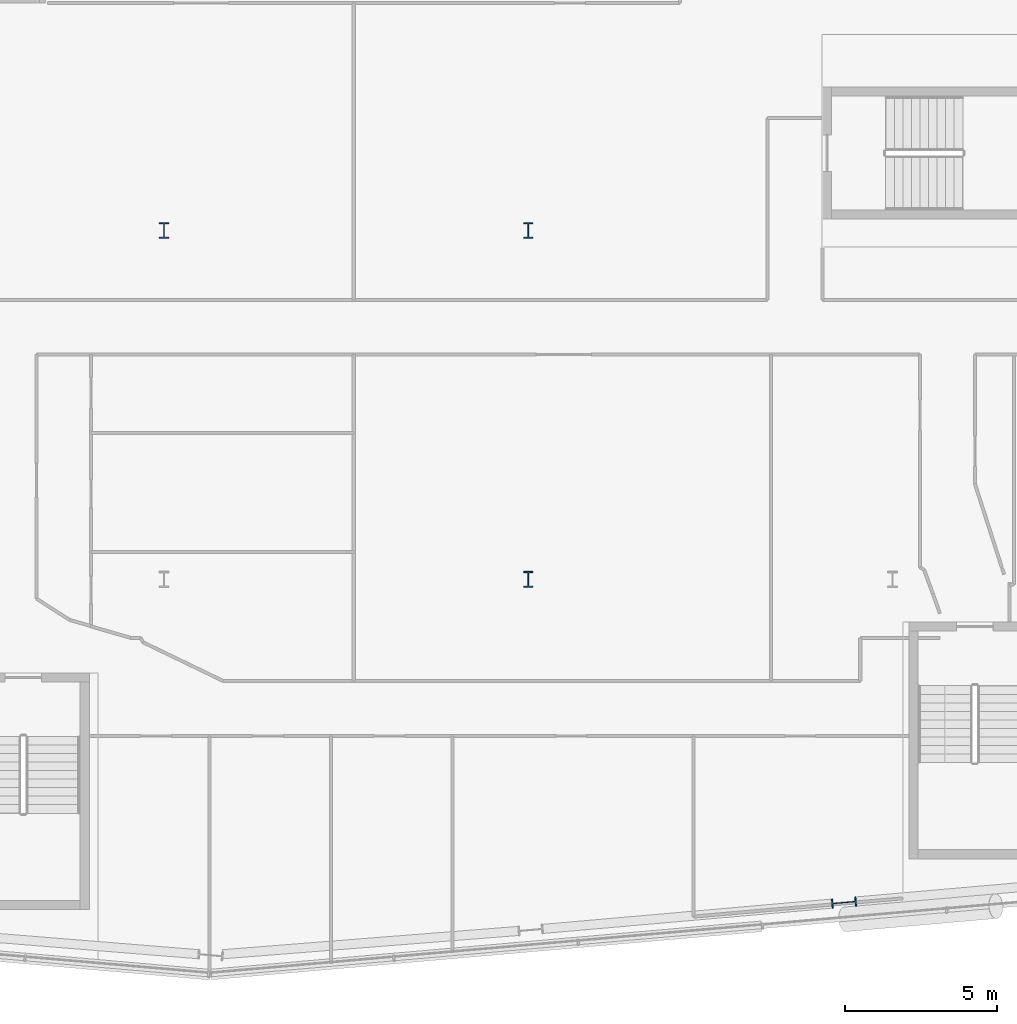
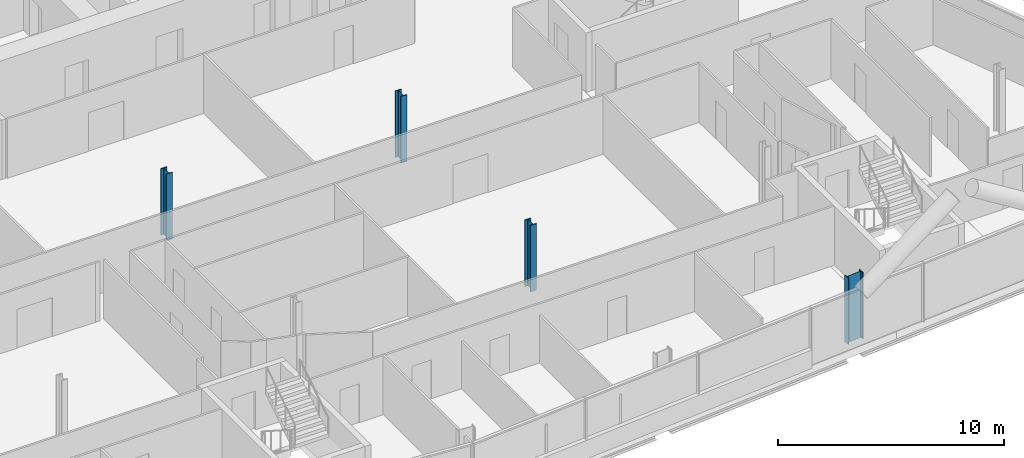
# One storey, part 2 of 27: 4 columns.
"""IFC4 building model written with IfcOpenShell, lengths in metres."""

from ifc_helpers import new_model, si_unit, direction, frame, origin, origin_2d, place, context, subcontext, project, spatial, i_section, extrude, material, material_profile, profile_set, type_object, element, save


model = new_model("IFC4")

# Units and contexts
model_context = context("Model", 3, precision=1e-05, world=origin(), true_north=direction((0.0, 1.0)))
body_context = subcontext(model_context, "Body", "Model", "MODEL_VIEW")
ifc_project = project(units=[si_unit("LENGTHUNIT", "METRE"), si_unit("AREAUNIT", "SQUARE_METRE"), si_unit("VOLUMEUNIT", "CUBIC_METRE"), si_unit("PLANEANGLEUNIT", "RADIAN"), si_unit("MASSUNIT", "GRAM", prefix="KILO")], contexts=[model_context])

# Site, building, storey
site_placement = place(None, origin())
site = spatial("IfcSite", under=ifc_project, at=site_placement, CompositionType="ELEMENT")
building_placement = place(site_placement, origin())
building = spatial("IfcBuilding", under=site, at=building_placement, Name="Wharfspan Tower", CompositionType="ELEMENT")
storey_placement = place(building_placement, frame((0.0, 0.0, 136.300049)))
storey = spatial("IfcBuildingStorey", under=building, at=storey_placement, Name="L32", CompositionType="ELEMENT", Elevation=136.300049)

# Columns
ifc_material = material(Name="Steel S355J2", Category="steel")
ifc_material_profile_1 = material_profile(ifc_material, i_section(OverallWidth=0.305908, OverallDepth=0.523926, WebThickness=0.020996, FlangeThickness=0.040039, FilletRadius=0.0271, at=origin_2d()))
ifc_profile_set_1 = profile_set([ifc_material_profile_1], Name="Steel S355J2")
column_type_1 = type_object("IfcColumnType", Name="Column HEM 500", PredefinedType="COLUMN", material=ifc_profile_set_1)
for number, where, z_axis, x_axis, name in (
    (1, (60.0, 11.5, 0.0), (0.0, 0.0, 1.0), (1.0, 0.0, 0.0), "Interior column I.1.5 L32"),
    (2, (48.0, 23.0, 0.0), (0.0, 0.0, 1.0), (1.0, 0.0, 0.0), "Interior column I.2.3 L32"),
    (3, (60.0, 23.0, 0.0), (0.0, 0.0, 1.0), (1.0, 0.0, 0.0), "Interior column I.2.4 L32"),
):
    element("IfcColumn", number, at=place(storey_placement, frame(where, z_axis=z_axis, x_axis=x_axis)), inside=storey, type_object=column_type_1, Name=name, PredefinedType="COLUMN", context=body_context, shape_type="SweptSolid", body=[
        extrude(i_section(OverallWidth=0.305908, OverallDepth=0.523926, WebThickness=0.020996, FlangeThickness=0.040039, FilletRadius=0.0271, at=origin_2d()), origin(), (0.0, 0.0, 1.0), 3.599854),
    ])
ifc_material_profile_2 = material_profile(ifc_material, i_section(OverallWidth=0.302979, OverallDepth=0.813965, WebThickness=0.020996, FlangeThickness=0.040039, FilletRadius=0.030029, at=origin_2d()))
ifc_profile_set_2 = profile_set([ifc_material_profile_2], Name="Steel S355J2")
column_type_2 = type_object("IfcColumnType", Name="Column HEM 800", PredefinedType="COLUMN", material=ifc_profile_set_2)
column_placement = place(storey_placement, frame((70.404053, 0.852783, 0.0), z_axis=(0.0, 0.0, 1.0), x_axis=(0.087156, -0.996198, 0.0)))
element("IfcColumn", 4, at=column_placement, inside=storey, type_object=column_type_2, Name="Perimeter column PS2.2 L32", PredefinedType="COLUMN", context=body_context, shape_type="SweptSolid", body=[
    extrude(i_section(OverallWidth=0.302979, OverallDepth=0.813965, WebThickness=0.020996, FlangeThickness=0.040039, FilletRadius=0.030029, at=origin_2d()), origin(), (0.0, 0.0, 1.0), 3.599854),
])

save(model, "model.ifc")
